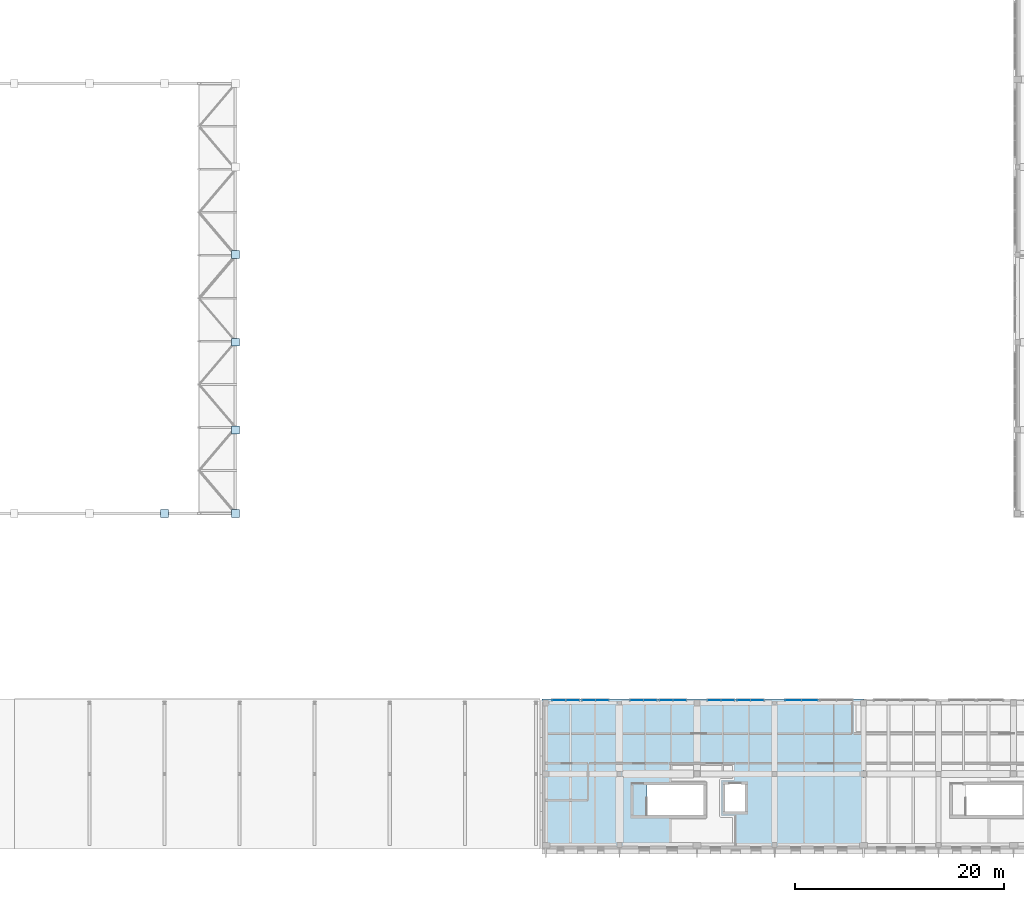
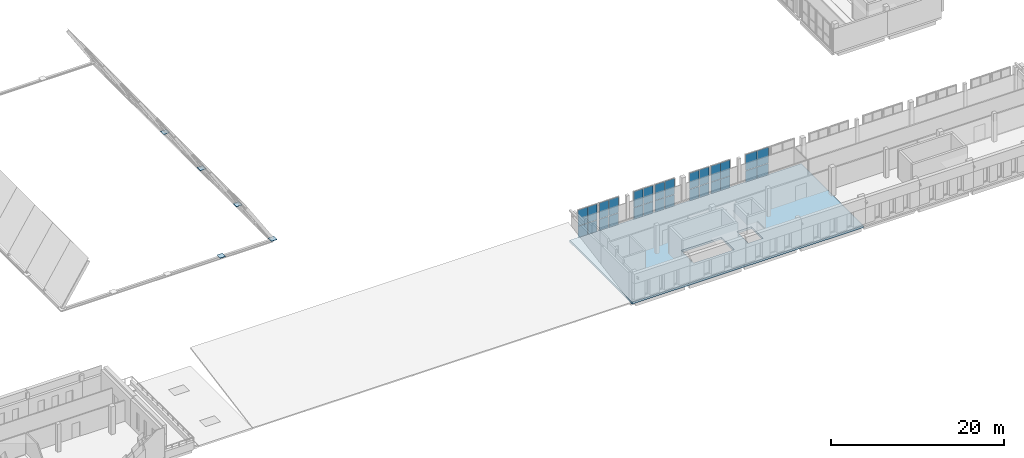
# One storey, part 30 of 56: 33 plates, 1 slab, 7 elements without a shape of their own.
"""IFC4 building model written with IfcOpenShell, lengths in metres."""

from ifc_helpers import new_model, si_unit, direction, frame, origin, origin_2d, place, context, subcontext, project, spatial, polyline, rectangle, outline, extrude, material, layer, layer_set, type_object, element, aggregate, save


model = new_model("IFC4")

# Units and contexts
model_context = context("Model", 3, precision=1e-05, world=origin(), true_north=direction((0.0, 1.0)))
body_context = subcontext(model_context, "Body", "Model", "MODEL_VIEW")
ifc_project = project(units=[si_unit("LENGTHUNIT", "METRE"), si_unit("AREAUNIT", "SQUARE_METRE"), si_unit("VOLUMEUNIT", "CUBIC_METRE"), si_unit("PLANEANGLEUNIT", "RADIAN"), si_unit("MASSUNIT", "GRAM", prefix="KILO")], contexts=[model_context])

# Site, building, storey
site_placement = place(None, origin())
site = spatial("IfcSite", under=ifc_project, at=site_placement, CompositionType="ELEMENT")
building_placement = place(site_placement, origin())
building = spatial("IfcBuilding", under=site, at=building_placement, Name="Vardoun Plaza Health Centre", CompositionType="ELEMENT")
storey_placement = place(building_placement, frame((0.0, 0.0, 8.699951171875)))
storey = spatial("IfcBuildingStorey", under=building, at=storey_placement, Name="L02", CompositionType="ELEMENT", Elevation=8.699951171875)

# Curtain wall, plates
ifc_material_1 = material(Name="Aluminium Alloy EN AW-6063-T6 and Low-E Glass", Category="aluminium")
ifc_layer_1 = layer(ifc_material_1, 0.14990234375)
ifc_layer_set_1 = layer_set([ifc_layer_1], Name="Aluminium Alloy EN AW-6063-T6 and Low-E Glass")
curtain_wall_type = type_object("IfcCurtainWallType", Name="CW-03", PredefinedType="NOTDEFINED", material=ifc_layer_set_1)
curtain_wall_1_placement = place(storey_placement, origin())
curtain_wall_1 = element("IfcCurtainWall", 1, at=curtain_wall_1_placement, inside=storey, type_object=curtain_wall_type, Name="Curtain Wall CW-V5-165", PredefinedType="NOTDEFINED")
ifc_material_2 = material(Name="Solar-Control Double Low-E Glazing", Category="glass")
ifc_layer_2 = layer(ifc_material_2, 0.028076171875)
ifc_layer_set_2 = layer_set([ifc_layer_2], Name="Solar-Control Double Low-E Glazing")
plate_type_1 = type_object("IfcPlateType", Name="CW-P1", PredefinedType="CURTAIN_PANEL", material=ifc_layer_set_2)
plate_1_placement = place(storey_placement, frame((107.304931640625, 18.780029296875, 0.06005859375), z_axis=(0.0, 0.0, 1.0), x_axis=(1.0, 0.0, 0.0)))
plate_1 = element("IfcPlate", 2, at=plate_1_placement, type_object=plate_type_1, Name="CW-V5-165 panel 1.1", PredefinedType="CURTAIN_PANEL", context=body_context, shape_type="SweptSolid", body=[
    extrude(rectangle(XDim=1.25, YDim=0.028076171875, at=origin_2d()), origin(), (0.0, 0.0, 1.0), 1.592041015625),
])
plate_2_placement = place(storey_placement, frame((107.304931640625, 18.780029296875, 1.712158203125), z_axis=(0.0, 0.0, 1.0), x_axis=(1.0, 0.0, 0.0)))
plate_2 = element("IfcPlate", 3, at=plate_2_placement, type_object=plate_type_1, Name="CW-V5-165 panel 1.2", PredefinedType="CURTAIN_PANEL", context=body_context, shape_type="SweptSolid", body=[
    extrude(rectangle(XDim=1.25, YDim=0.028076171875, at=origin_2d()), origin(), (0.0, 0.0, 1.0), 2.23291015625),
])
plate_3_placement = place(storey_placement, frame((108.614990234375, 18.780029296875, 0.06005859375), z_axis=(0.0, 0.0, 1.0), x_axis=(1.0, 0.0, 0.0)))
plate_3 = element("IfcPlate", 4, at=plate_3_placement, type_object=plate_type_1, Name="CW-V5-165 panel 2.1", PredefinedType="CURTAIN_PANEL", context=body_context, shape_type="SweptSolid", body=[
    extrude(rectangle(XDim=1.25, YDim=0.028076171875, at=origin_2d()), origin(), (0.0, 0.0, 1.0), 1.592041015625),
])
plate_4_placement = place(storey_placement, frame((108.614990234375, 18.780029296875, 1.712158203125), z_axis=(0.0, 0.0, 1.0), x_axis=(1.0, 0.0, 0.0)))
plate_4 = element("IfcPlate", 5, at=plate_4_placement, type_object=plate_type_1, Name="CW-V5-165 panel 2.2", PredefinedType="CURTAIN_PANEL", context=body_context, shape_type="SweptSolid", body=[
    extrude(rectangle(XDim=1.25, YDim=0.028076171875, at=origin_2d()), origin(), (0.0, 0.0, 1.0), 2.23291015625),
])
aggregate(curtain_wall_1, [plate_1, plate_2, plate_3, plate_4])

curtain_wall_2_placement = place(storey_placement, origin())
curtain_wall_2 = element("IfcCurtainWall", 6, at=curtain_wall_2_placement, inside=storey, type_object=curtain_wall_type, Name="Curtain Wall CW-V5-166", PredefinedType="NOTDEFINED")
plate_5_placement = place(storey_placement, frame((110.14501953125, 18.780029296875, 0.06005859375), z_axis=(0.0, 0.0, 1.0), x_axis=(1.0, 0.0, 0.0)))
plate_5 = element("IfcPlate", 7, at=plate_5_placement, type_object=plate_type_1, Name="CW-V5-166 panel 1.1", PredefinedType="CURTAIN_PANEL", context=body_context, shape_type="SweptSolid", body=[
    extrude(rectangle(XDim=1.25, YDim=0.028076171875, at=origin_2d()), origin(), (0.0, 0.0, 1.0), 1.592041015625),
])
plate_6_placement = place(storey_placement, frame((110.14501953125, 18.780029296875, 1.712158203125), z_axis=(0.0, 0.0, 1.0), x_axis=(1.0, 0.0, 0.0)))
plate_6 = element("IfcPlate", 8, at=plate_6_placement, type_object=plate_type_1, Name="CW-V5-166 panel 1.2", PredefinedType="CURTAIN_PANEL", context=body_context, shape_type="SweptSolid", body=[
    extrude(rectangle(XDim=1.25, YDim=0.028076171875, at=origin_2d()), origin(), (0.0, 0.0, 1.0), 2.23291015625),
])
plate_7_placement = place(storey_placement, frame((111.455078125, 18.780029296875, 0.06005859375), z_axis=(0.0, 0.0, 1.0), x_axis=(1.0, 0.0, 0.0)))
plate_7 = element("IfcPlate", 9, at=plate_7_placement, type_object=plate_type_1, Name="CW-V5-166 panel 2.1", PredefinedType="CURTAIN_PANEL", context=body_context, shape_type="SweptSolid", body=[
    extrude(rectangle(XDim=1.25, YDim=0.028076171875, at=origin_2d()), origin(), (0.0, 0.0, 1.0), 1.592041015625),
])
plate_8_placement = place(storey_placement, frame((111.455078125, 18.780029296875, 1.712158203125), z_axis=(0.0, 0.0, 1.0), x_axis=(1.0, 0.0, 0.0)))
plate_8 = element("IfcPlate", 10, at=plate_8_placement, type_object=plate_type_1, Name="CW-V5-166 panel 2.2", PredefinedType="CURTAIN_PANEL", context=body_context, shape_type="SweptSolid", body=[
    extrude(rectangle(XDim=1.25, YDim=0.028076171875, at=origin_2d()), origin(), (0.0, 0.0, 1.0), 2.23291015625),
])
aggregate(curtain_wall_2, [plate_5, plate_6, plate_7, plate_8])

curtain_wall_3_placement = place(storey_placement, origin())
curtain_wall_3 = element("IfcCurtainWall", 11, at=curtain_wall_3_placement, inside=storey, type_object=curtain_wall_type, Name="Curtain Wall CW-V5-167", PredefinedType="NOTDEFINED")
plate_9_placement = place(storey_placement, frame((114.7451171875, 18.780029296875, 0.06005859375), z_axis=(0.0, 0.0, 1.0), x_axis=(1.0, 0.0, 0.0)))
plate_9 = element("IfcPlate", 12, at=plate_9_placement, type_object=plate_type_1, Name="CW-V5-167 panel 1.1", PredefinedType="CURTAIN_PANEL", context=body_context, shape_type="SweptSolid", body=[
    extrude(rectangle(XDim=1.25, YDim=0.028076171875, at=origin_2d()), origin(), (0.0, 0.0, 1.0), 1.592041015625),
])
plate_10_placement = place(storey_placement, frame((114.7451171875, 18.780029296875, 1.712158203125), z_axis=(0.0, 0.0, 1.0), x_axis=(1.0, 0.0, 0.0)))
plate_10 = element("IfcPlate", 13, at=plate_10_placement, type_object=plate_type_1, Name="CW-V5-167 panel 1.2", PredefinedType="CURTAIN_PANEL", context=body_context, shape_type="SweptSolid", body=[
    extrude(rectangle(XDim=1.25, YDim=0.028076171875, at=origin_2d()), origin(), (0.0, 0.0, 1.0), 2.23291015625),
])
plate_11_placement = place(storey_placement, frame((116.054931640625, 18.780029296875, 0.06005859375), z_axis=(0.0, 0.0, 1.0), x_axis=(1.0, 0.0, 0.0)))
plate_11 = element("IfcPlate", 14, at=plate_11_placement, type_object=plate_type_1, Name="CW-V5-167 panel 2.1", PredefinedType="CURTAIN_PANEL", context=body_context, shape_type="SweptSolid", body=[
    extrude(rectangle(XDim=1.25, YDim=0.028076171875, at=origin_2d()), origin(), (0.0, 0.0, 1.0), 1.592041015625),
])
plate_12_placement = place(storey_placement, frame((116.054931640625, 18.780029296875, 1.712158203125), z_axis=(0.0, 0.0, 1.0), x_axis=(1.0, 0.0, 0.0)))
plate_12 = element("IfcPlate", 15, at=plate_12_placement, type_object=plate_type_1, Name="CW-V5-167 panel 2.2", PredefinedType="CURTAIN_PANEL", context=body_context, shape_type="SweptSolid", body=[
    extrude(rectangle(XDim=1.25, YDim=0.028076171875, at=origin_2d()), origin(), (0.0, 0.0, 1.0), 2.23291015625),
])
aggregate(curtain_wall_3, [plate_9, plate_10, plate_11, plate_12])

curtain_wall_4_placement = place(storey_placement, origin())
curtain_wall_4 = element("IfcCurtainWall", 16, at=curtain_wall_4_placement, inside=storey, type_object=curtain_wall_type, Name="Curtain Wall CW-V5-168", PredefinedType="NOTDEFINED")
plate_13_placement = place(storey_placement, frame((117.5849609375, 18.780029296875, 0.06005859375), z_axis=(0.0, 0.0, 1.0), x_axis=(1.0, 0.0, 0.0)))
plate_13 = element("IfcPlate", 17, at=plate_13_placement, type_object=plate_type_1, Name="CW-V5-168 panel 1.1", PredefinedType="CURTAIN_PANEL", context=body_context, shape_type="SweptSolid", body=[
    extrude(rectangle(XDim=1.25, YDim=0.028076171875, at=origin_2d()), origin(), (0.0, 0.0, 1.0), 1.592041015625),
])
plate_14_placement = place(storey_placement, frame((117.5849609375, 18.780029296875, 1.712158203125), z_axis=(0.0, 0.0, 1.0), x_axis=(1.0, 0.0, 0.0)))
plate_14 = element("IfcPlate", 18, at=plate_14_placement, type_object=plate_type_1, Name="CW-V5-168 panel 1.2", PredefinedType="CURTAIN_PANEL", context=body_context, shape_type="SweptSolid", body=[
    extrude(rectangle(XDim=1.25, YDim=0.028076171875, at=origin_2d()), origin(), (0.0, 0.0, 1.0), 2.23291015625),
])
plate_15_placement = place(storey_placement, frame((118.89501953125, 18.780029296875, 0.06005859375), z_axis=(0.0, 0.0, 1.0), x_axis=(1.0, 0.0, 0.0)))
plate_15 = element("IfcPlate", 19, at=plate_15_placement, type_object=plate_type_1, Name="CW-V5-168 panel 2.1", PredefinedType="CURTAIN_PANEL", context=body_context, shape_type="SweptSolid", body=[
    extrude(rectangle(XDim=1.25, YDim=0.028076171875, at=origin_2d()), origin(), (0.0, 0.0, 1.0), 1.592041015625),
])
plate_16_placement = place(storey_placement, frame((118.89501953125, 18.780029296875, 1.712158203125), z_axis=(0.0, 0.0, 1.0), x_axis=(1.0, 0.0, 0.0)))
plate_16 = element("IfcPlate", 20, at=plate_16_placement, type_object=plate_type_1, Name="CW-V5-168 panel 2.2", PredefinedType="CURTAIN_PANEL", context=body_context, shape_type="SweptSolid", body=[
    extrude(rectangle(XDim=1.25, YDim=0.028076171875, at=origin_2d()), origin(), (0.0, 0.0, 1.0), 2.23291015625),
])
aggregate(curtain_wall_4, [plate_13, plate_14, plate_15, plate_16])

curtain_wall_5_placement = place(storey_placement, origin())
curtain_wall_5 = element("IfcCurtainWall", 21, at=curtain_wall_5_placement, inside=storey, type_object=curtain_wall_type, Name="Curtain Wall CW-V5-169", PredefinedType="NOTDEFINED")
plate_17_placement = place(storey_placement, frame((122.18505859375, 18.780029296875, 0.06005859375), z_axis=(0.0, 0.0, 1.0), x_axis=(1.0, 0.0, 0.0)))
plate_17 = element("IfcPlate", 22, at=plate_17_placement, type_object=plate_type_1, Name="CW-V5-169 panel 1.1", PredefinedType="CURTAIN_PANEL", context=body_context, shape_type="SweptSolid", body=[
    extrude(rectangle(XDim=1.25, YDim=0.028076171875, at=origin_2d()), origin(), (0.0, 0.0, 1.0), 1.592041015625),
])
plate_18_placement = place(storey_placement, frame((122.18505859375, 18.780029296875, 1.712158203125), z_axis=(0.0, 0.0, 1.0), x_axis=(1.0, 0.0, 0.0)))
plate_18 = element("IfcPlate", 23, at=plate_18_placement, type_object=plate_type_1, Name="CW-V5-169 panel 1.2", PredefinedType="CURTAIN_PANEL", context=body_context, shape_type="SweptSolid", body=[
    extrude(rectangle(XDim=1.25, YDim=0.028076171875, at=origin_2d()), origin(), (0.0, 0.0, 1.0), 2.23291015625),
])
plate_19_placement = place(storey_placement, frame((123.4951171875, 18.780029296875, 0.06005859375), z_axis=(0.0, 0.0, 1.0), x_axis=(1.0, 0.0, 0.0)))
plate_19 = element("IfcPlate", 24, at=plate_19_placement, type_object=plate_type_1, Name="CW-V5-169 panel 2.1", PredefinedType="CURTAIN_PANEL", context=body_context, shape_type="SweptSolid", body=[
    extrude(rectangle(XDim=1.25, YDim=0.028076171875, at=origin_2d()), origin(), (0.0, 0.0, 1.0), 1.592041015625),
])
plate_20_placement = place(storey_placement, frame((123.4951171875, 18.780029296875, 1.712158203125), z_axis=(0.0, 0.0, 1.0), x_axis=(1.0, 0.0, 0.0)))
plate_20 = element("IfcPlate", 25, at=plate_20_placement, type_object=plate_type_1, Name="CW-V5-169 panel 2.2", PredefinedType="CURTAIN_PANEL", context=body_context, shape_type="SweptSolid", body=[
    extrude(rectangle(XDim=1.25, YDim=0.028076171875, at=origin_2d()), origin(), (0.0, 0.0, 1.0), 2.23291015625),
])
aggregate(curtain_wall_5, [plate_17, plate_18, plate_19, plate_20])

curtain_wall_6_placement = place(storey_placement, origin())
curtain_wall_6 = element("IfcCurtainWall", 26, at=curtain_wall_6_placement, inside=storey, type_object=curtain_wall_type, Name="Curtain Wall CW-V5-170", PredefinedType="NOTDEFINED")
plate_21_placement = place(storey_placement, frame((125.02490234375, 18.780029296875, 0.06005859375), z_axis=(0.0, 0.0, 1.0), x_axis=(1.0, 0.0, 0.0)))
plate_21 = element("IfcPlate", 27, at=plate_21_placement, type_object=plate_type_1, Name="CW-V5-170 panel 1.1", PredefinedType="CURTAIN_PANEL", context=body_context, shape_type="SweptSolid", body=[
    extrude(rectangle(XDim=1.25, YDim=0.028076171875, at=origin_2d()), origin(), (0.0, 0.0, 1.0), 1.592041015625),
])
plate_22_placement = place(storey_placement, frame((125.02490234375, 18.780029296875, 1.712158203125), z_axis=(0.0, 0.0, 1.0), x_axis=(1.0, 0.0, 0.0)))
plate_22 = element("IfcPlate", 28, at=plate_22_placement, type_object=plate_type_1, Name="CW-V5-170 panel 1.2", PredefinedType="CURTAIN_PANEL", context=body_context, shape_type="SweptSolid", body=[
    extrude(rectangle(XDim=1.25, YDim=0.028076171875, at=origin_2d()), origin(), (0.0, 0.0, 1.0), 2.23291015625),
])
plate_23_placement = place(storey_placement, frame((126.3349609375, 18.780029296875, 0.06005859375), z_axis=(0.0, 0.0, 1.0), x_axis=(1.0, 0.0, 0.0)))
plate_23 = element("IfcPlate", 29, at=plate_23_placement, type_object=plate_type_1, Name="CW-V5-170 panel 2.1", PredefinedType="CURTAIN_PANEL", context=body_context, shape_type="SweptSolid", body=[
    extrude(rectangle(XDim=1.25, YDim=0.028076171875, at=origin_2d()), origin(), (0.0, 0.0, 1.0), 1.592041015625),
])
plate_24_placement = place(storey_placement, frame((126.3349609375, 18.780029296875, 1.712158203125), z_axis=(0.0, 0.0, 1.0), x_axis=(1.0, 0.0, 0.0)))
plate_24 = element("IfcPlate", 30, at=plate_24_placement, type_object=plate_type_1, Name="CW-V5-170 panel 2.2", PredefinedType="CURTAIN_PANEL", context=body_context, shape_type="SweptSolid", body=[
    extrude(rectangle(XDim=1.25, YDim=0.028076171875, at=origin_2d()), origin(), (0.0, 0.0, 1.0), 2.23291015625),
])
aggregate(curtain_wall_6, [plate_21, plate_22, plate_23, plate_24])

curtain_wall_7_placement = place(storey_placement, origin())
curtain_wall_7 = element("IfcCurtainWall", 31, at=curtain_wall_7_placement, inside=storey, type_object=curtain_wall_type, Name="Curtain Wall CW-V5-171", PredefinedType="NOTDEFINED")
plate_25_placement = place(storey_placement, frame((129.760009765625, 18.780029296875, 0.06005859375), z_axis=(0.0, 0.0, 1.0), x_axis=(1.0, 0.0, 0.0)))
plate_25 = element("IfcPlate", 32, at=plate_25_placement, type_object=plate_type_1, Name="CW-V5-171 panel 1.1", PredefinedType="CURTAIN_PANEL", context=body_context, shape_type="SweptSolid", body=[
    extrude(rectangle(XDim=1.52001953125, YDim=0.028076171875, at=origin_2d()), origin(), (0.0, 0.0, 1.0), 1.592041015625),
])
plate_26_placement = place(storey_placement, frame((129.760009765625, 18.780029296875, 1.712158203125), z_axis=(0.0, 0.0, 1.0), x_axis=(1.0, 0.0, 0.0)))
plate_26 = element("IfcPlate", 33, at=plate_26_placement, type_object=plate_type_1, Name="CW-V5-171 panel 1.2", PredefinedType="CURTAIN_PANEL", context=body_context, shape_type="SweptSolid", body=[
    extrude(rectangle(XDim=1.52001953125, YDim=0.028076171875, at=origin_2d()), origin(), (0.0, 0.0, 1.0), 2.23291015625),
])
plate_27_placement = place(storey_placement, frame((131.340087890625, 18.780029296875, 0.06005859375), z_axis=(0.0, 0.0, 1.0), x_axis=(1.0, 0.0, 0.0)))
plate_27 = element("IfcPlate", 34, at=plate_27_placement, type_object=plate_type_1, Name="CW-V5-171 panel 2.1", PredefinedType="CURTAIN_PANEL", context=body_context, shape_type="SweptSolid", body=[
    extrude(rectangle(XDim=1.52001953125, YDim=0.028076171875, at=origin_2d()), origin(), (0.0, 0.0, 1.0), 1.592041015625),
])
plate_28_placement = place(storey_placement, frame((131.340087890625, 18.780029296875, 1.712158203125), z_axis=(0.0, 0.0, 1.0), x_axis=(1.0, 0.0, 0.0)))
plate_28 = element("IfcPlate", 35, at=plate_28_placement, type_object=plate_type_1, Name="CW-V5-171 panel 2.2", PredefinedType="CURTAIN_PANEL", context=body_context, shape_type="SweptSolid", body=[
    extrude(rectangle(XDim=1.52001953125, YDim=0.028076171875, at=origin_2d()), origin(), (0.0, 0.0, 1.0), 2.23291015625),
])
aggregate(curtain_wall_7, [plate_25, plate_26, plate_27, plate_28])

# Plates
ifc_material_3 = material(Name="Steel S355J2", Category="steel")
ifc_layer_3 = layer(ifc_material_3, 0.044921875)
ifc_layer_set_3 = layer_set([ifc_layer_3], Name="Steel S355J2")
plate_type_2 = type_object("IfcPlateType", Name="BP-02", PredefinedType="SHEET", material=ifc_layer_set_3)
for number, where, z_axis, x_axis, name in (
    (36, (69.47998046875, 36.679931640625, -0.344970703125), (0.0, 0.0, 1.0), (1.0, 0.0, 0.0), "Gridshell Ring Base Plate 11"),
    (37, (76.300048828125, 36.679931640625, -0.344970703125), (0.0, 0.0, 1.0), (1.0, 0.0, 0.0), "Gridshell Ring Base Plate 13"),
    (38, (76.300048828125, 44.699951171875, -0.344970703125), (0.0, 0.0, 1.0), (1.0, 0.0, 0.0), "Gridshell Ring Base Plate 14"),
    (39, (76.300048828125, 53.10009765625, -0.344970703125), (0.0, 0.0, 1.0), (1.0, 0.0, 0.0), "Gridshell Ring Base Plate 15"),
    (40, (76.300048828125, 61.5, -0.344970703125), (0.0, 0.0, 1.0), (1.0, 0.0, 0.0), "Gridshell Ring Base Plate 16"),
):
    element("IfcPlate", number, at=place(storey_placement, frame(where, z_axis=z_axis, x_axis=x_axis)), inside=storey, type_object=plate_type_2, Name=name, PredefinedType="SHEET", context=body_context, shape_type="SweptSolid", body=[
        extrude(rectangle(XDim=0.75, YDim=0.75, at=origin_2d()), origin(), (0.0, 0.0, 1.0), 0.044921875),
    ])

# Slab
ifc_material_4 = material(Name="Concrete C35/45", Category="concrete")
ifc_layer_4 = layer(ifc_material_4, 0.294921875)
ifc_layer_set_4 = layer_set([ifc_layer_4], Name="Concrete C35/45")
slab_type = type_object("IfcSlabType", Name="SL-04", PredefinedType="FLOOR", material=ifc_layer_set_4)
slab_placement = place(storey_placement, frame((0.0, 0.0, -0.294921875)))
element("IfcSlab", 41, at=slab_placement, inside=storey, type_object=slab_type, Name="V5 L02 Structural Slab A", PredefinedType="FLOOR", context=body_context, shape_type="SweptSolid", body=[
    extrude(outline(polyline([(105.659912109375, 4.5), (136.5, 4.5), (136.5, 18.89990234375), (105.659912109375, 18.89990234375), (105.659912109375, 4.5)]), holes=[polyline([(115.75048828125, 7.75), (121.14990234375, 7.75), (121.14990234375, 10.64990234375), (115.75048828125, 10.64990234375), (115.75048828125, 7.75)]), polyline([(123.219970703125, 8.070068359375), (125.179931640625, 8.070068359375), (125.179931640625, 10.72998046875), (123.219970703125, 10.72998046875), (123.219970703125, 8.070068359375)])]), origin(), (0.0, 0.0, 1.0), 0.294921875),
])

save(model, "model.ifc")
